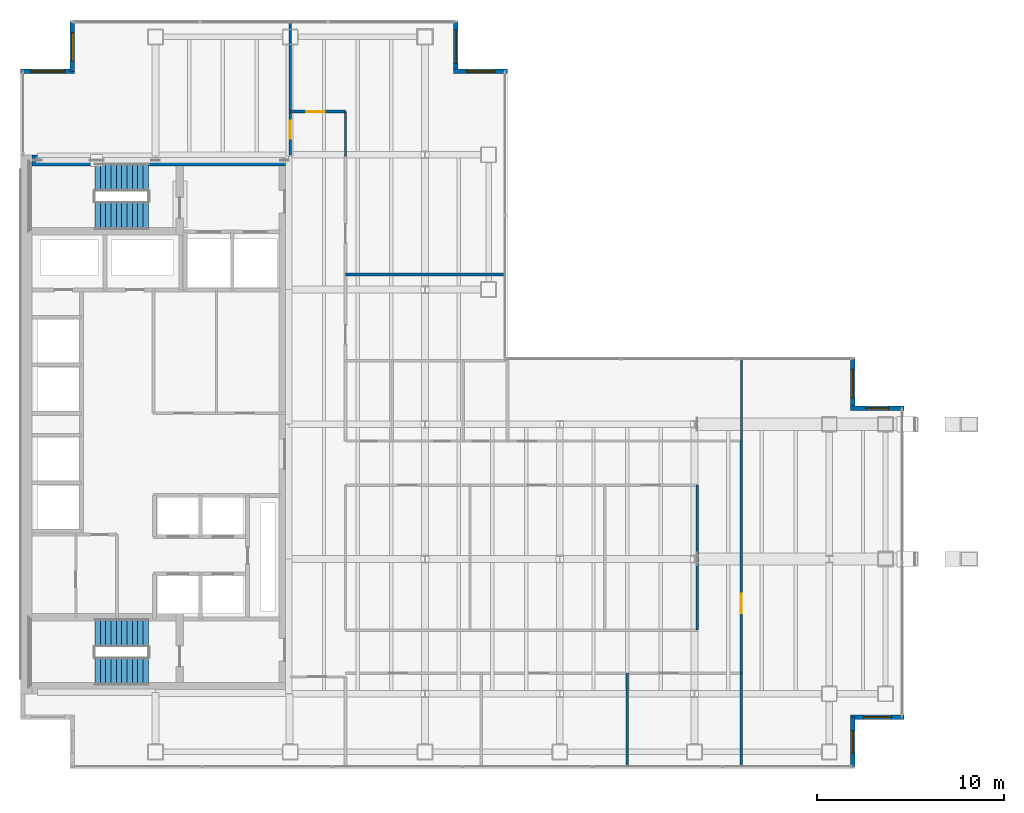
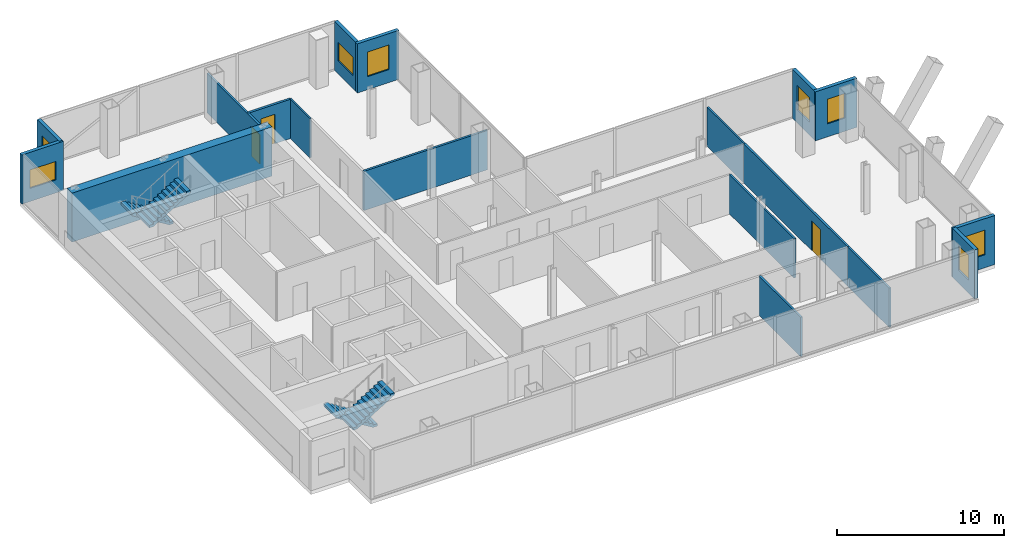
# One storey, part 22 of 23: 18 walls, 8 windows, 4 stair flights, 3 doors, 11 openings, 2 elements without a shape of their own.
"""IFC4 building model written with IfcOpenShell, lengths in metres."""

from ifc_helpers import new_model, si_unit, direction, frame, frame_2d, origin, place, context, subcontext, project, spatial, polyline, rectangle, outline, extrude, material, layer, layer_set, type_object, element, fill, aggregate, save


model = new_model("IFC4")

# Units and contexts
model_context = context("Model", 3, precision=1e-05, world=origin(), true_north=direction((0.0, 1.0)))
body_context = subcontext(model_context, "Body", "Model", "MODEL_VIEW")
ifc_project = project(units=[si_unit("LENGTHUNIT", "METRE"), si_unit("AREAUNIT", "SQUARE_METRE"), si_unit("VOLUMEUNIT", "CUBIC_METRE"), si_unit("PLANEANGLEUNIT", "RADIAN"), si_unit("MASSUNIT", "GRAM", prefix="KILO")], contexts=[model_context])

# Site, building, storey
site_placement = place(None, origin())
site = spatial("IfcSite", under=ifc_project, at=site_placement, CompositionType="ELEMENT")
building_placement = place(site_placement, origin())
building = spatial("IfcBuilding", under=site, at=building_placement, Name="Cobrela Telecom Tower", CompositionType="ELEMENT")
storey_placement = place(building_placement, frame((0.0, 0.0, 159.949951171875)))
storey = spatial("IfcBuildingStorey", under=building, at=storey_placement, Name="L40", CompositionType="ELEMENT", Elevation=159.949951171875)

# Wall
ifc_material_1 = material(Name="Concrete C50/60", Category="concrete")
ifc_layer_1 = layer(ifc_material_1, 0.60009765625)
ifc_layer_set_1 = layer_set([ifc_layer_1], Name="Concrete C50/60")
wall_type_1 = type_object("IfcWallType", Name="WALL-CORE-C50-600", PredefinedType="SHEAR", material=ifc_layer_set_1)
wall_1_placement = place(storey_placement, frame((0.60009765625, 35.699951171875, 0.0), z_axis=(0.0, 0.0, 1.0), x_axis=(1.0, 0.0, 0.0)))
element("IfcWall", 1, at=wall_1_placement, inside=storey, type_object=wall_type_1, Name="L40 North Core Shear Wall", PredefinedType="SHEAR", context=body_context, shape_type="SweptSolid", body=[
    extrude(rectangle(XDim=13.7998046875, YDim=0.60009765625, at=frame_2d((6.89990234375, 0.0))), origin(), (0.0, 0.0, 1.0), 3.580078125),
])

# Wall, opening, window
ifc_material_2 = material(Name="Concrete C40/50", Category="concrete")
ifc_layer_2 = layer(ifc_material_2, 0.239990234375)
ifc_layer_set_2 = layer_set([ifc_layer_2], Name="Concrete C40/50")
wall_type_2 = type_object("IfcWallType", Name="WALL-EXT-300", PredefinedType="STANDARD", material=ifc_layer_set_2)
wall_2_placement = place(storey_placement, frame((0.0, 40.449951171875, 0.0), z_axis=(0.0, 0.0, 1.0), x_axis=(1.0, 0.0, 0.0)))
wall_2 = element("IfcWall", 2, at=wall_2_placement, inside=storey, type_object=wall_type_2, Name="L40 Insulated Facade Wall 05", PredefinedType="STANDARD", context=body_context, shape_type="SweptSolid", body=[
    extrude(rectangle(XDim=2.8701171875, YDim=0.239990234375, at=frame_2d((1.43505859375, 0.0))), origin(), (0.0, 0.0, 1.0), 3.580078125),
])
opening_1_placement = place(wall_2_placement, frame((0.534912109375, 0.0, 0.949951171875)))
opening_1 = element("IfcOpeningElement", 3, at=opening_1_placement, cuts=wall_2, Name="Opening WN-27", PredefinedType="OPENING", context=body_context, shape_type="SweptSolid", body=[
    extrude(rectangle(XDim=1.800048828125, YDim=1.35009765625, at=frame_2d((0.89990234375, 0.675048828125))), frame((0.0, 0.1318359375, 0.0), z_axis=(0.0, -1.0, 0.0), x_axis=(1.0, 0.0, 0.0)), (0.0, 0.0, 1.0), 0.263916015625),
])
ifc_material_3 = material(Name="Solar-Control Bronze Low-E Glass", Category="glass")
window_type_1 = type_object("IfcWindowType", Name="WIN-CLER-1800", PartitioningType="SINGLE_PANEL", PredefinedType="WINDOW", material=ifc_material_3)
window_1_placement = place(opening_1_placement, origin())
window_1 = element("IfcWindow", 4, at=window_1_placement, inside=storey, type_object=window_type_1, Name="L40 Corner Notch Facade Window 192", OverallHeight=1.35009765625, OverallWidth=1.800048828125, PartitioningType="SINGLE_PANEL", PredefinedType="WINDOW", context=body_context, shape_type="SweptSolid", body=[
    extrude(rectangle(XDim=1.800048828125, YDim=1.35009765625, at=frame_2d((0.89990234375, 0.675048828125))), frame((0.0, 0.030029296875, 0.0), z_axis=(0.0, -1.0, 0.0), x_axis=(1.0, 0.0, 0.0)), (0.0, 0.0, 1.0), 0.06005859375),
])
fill(opening_1, window_1)

wall_3_placement = place(storey_placement, frame((2.75, 40.449951171875, 0.0), z_axis=(0.0, 0.0, 1.0), x_axis=(0.0, 1.0, 0.0)))
wall_3 = element("IfcWall", 5, at=wall_3_placement, inside=storey, type_object=wall_type_2, Name="L40 Insulated Facade Wall 06", PredefinedType="STANDARD", context=body_context, shape_type="SweptSolid", body=[
    extrude(rectangle(XDim=2.630126953125, YDim=0.239990234375, at=frame_2d((1.31494140625, 0.0))), origin(), (0.0, 0.0, 1.0), 3.580078125),
])
opening_2_placement = place(wall_3_placement, frame((0.56494140625, 0.0, 0.949951171875)))
opening_2 = element("IfcOpeningElement", 6, at=opening_2_placement, cuts=wall_3, Name="Opening WN-45", PredefinedType="OPENING", context=body_context, shape_type="SweptSolid", body=[
    extrude(rectangle(XDim=1.5, YDim=1.800048828125, at=frame_2d((0.75, 0.89990234375))), frame((0.0, 0.1318359375, 0.0), z_axis=(0.0, -1.0, 0.0), x_axis=(1.0, 0.0, 0.0)), (0.0, 0.0, 1.0), 0.263916015625),
])
window_type_2 = type_object("IfcWindowType", Name="WIN-MOD-1500", PartitioningType="SINGLE_PANEL", PredefinedType="WINDOW", material=ifc_material_3)
window_2_placement = place(opening_2_placement, origin())
window_2 = element("IfcWindow", 7, at=window_2_placement, inside=storey, type_object=window_type_2, Name="L40 Corner Notch Facade Window 193", OverallHeight=1.800048828125, OverallWidth=1.5, PartitioningType="SINGLE_PANEL", PredefinedType="WINDOW", context=body_context, shape_type="SweptSolid", body=[
    extrude(rectangle(XDim=1.5, YDim=1.800048828125, at=frame_2d((0.75, 0.89990234375))), frame((0.0, 0.030029296875, 0.0), z_axis=(0.0, -1.0, 0.0), x_axis=(1.0, 0.0, 0.0)), (0.0, 0.0, 1.0), 0.06005859375),
])
fill(opening_2, window_2)

wall_4_placement = place(storey_placement, frame((23.25, 43.080078125, 0.0), z_axis=(0.0, 0.0, 1.0), x_axis=(0.0, -1.0, 0.0)))
wall_4 = element("IfcWall", 8, at=wall_4_placement, inside=storey, type_object=wall_type_2, Name="L40 Insulated Facade Wall 08", PredefinedType="STANDARD", context=body_context, shape_type="SweptSolid", body=[
    extrude(rectangle(XDim=2.630126953125, YDim=0.239990234375, at=frame_2d((1.31494140625, 0.0))), origin(), (0.0, 0.0, 1.0), 3.580078125),
])
opening_3_placement = place(wall_4_placement, frame((0.4150390625, 0.0, 0.949951171875)))
opening_3 = element("IfcOpeningElement", 9, at=opening_3_placement, cuts=wall_4, Name="Opening WN-27", PredefinedType="OPENING", context=body_context, shape_type="SweptSolid", body=[
    extrude(rectangle(XDim=1.800048828125, YDim=1.35009765625, at=frame_2d((0.89990234375, 0.675048828125))), frame((0.0, 0.1318359375, 0.0), z_axis=(0.0, -1.0, 0.0), x_axis=(1.0, 0.0, 0.0)), (0.0, 0.0, 1.0), 0.263916015625),
])
window_3_placement = place(opening_3_placement, origin())
window_3 = element("IfcWindow", 10, at=window_3_placement, inside=storey, type_object=window_type_1, Name="L40 Corner Notch Facade Window 194", OverallHeight=1.35009765625, OverallWidth=1.800048828125, PartitioningType="SINGLE_PANEL", PredefinedType="WINDOW", context=body_context, shape_type="SweptSolid", body=[
    extrude(rectangle(XDim=1.800048828125, YDim=1.35009765625, at=frame_2d((0.89990234375, 0.675048828125))), frame((0.0, 0.030029296875, 0.0), z_axis=(0.0, -1.0, 0.0), x_axis=(1.0, 0.0, 0.0)), (0.0, 0.0, 1.0), 0.06005859375),
])
fill(opening_3, window_3)

wall_5_placement = place(storey_placement, frame((23.1298828125, 40.449951171875, 0.0), z_axis=(0.0, 0.0, 1.0), x_axis=(1.0, 0.0, 0.0)))
wall_5 = element("IfcWall", 11, at=wall_5_placement, inside=storey, type_object=wall_type_2, Name="L40 Insulated Facade Wall 09", PredefinedType="STANDARD", context=body_context, shape_type="SweptSolid", body=[
    extrude(rectangle(XDim=2.8701171875, YDim=0.239990234375, at=frame_2d((1.43505859375, 0.0))), origin(), (0.0, 0.0, 1.0), 3.580078125),
])
opening_4_placement = place(wall_5_placement, frame((0.68505859375, 0.0, 0.949951171875)))
opening_4 = element("IfcOpeningElement", 12, at=opening_4_placement, cuts=wall_5, Name="Opening WN-45", PredefinedType="OPENING", context=body_context, shape_type="SweptSolid", body=[
    extrude(rectangle(XDim=1.5, YDim=1.800048828125, at=frame_2d((0.75, 0.89990234375))), frame((0.0, 0.1318359375, 0.0), z_axis=(0.0, -1.0, 0.0), x_axis=(1.0, 0.0, 0.0)), (0.0, 0.0, 1.0), 0.263916015625),
])
window_4_placement = place(opening_4_placement, origin())
window_4 = element("IfcWindow", 13, at=window_4_placement, inside=storey, type_object=window_type_2, Name="L40 Corner Notch Facade Window 195", OverallHeight=1.800048828125, OverallWidth=1.5, PartitioningType="SINGLE_PANEL", PredefinedType="WINDOW", context=body_context, shape_type="SweptSolid", body=[
    extrude(rectangle(XDim=1.5, YDim=1.800048828125, at=frame_2d((0.75, 0.89990234375))), frame((0.0, 0.030029296875, 0.0), z_axis=(0.0, -1.0, 0.0), x_axis=(1.0, 0.0, 0.0)), (0.0, 0.0, 1.0), 0.06005859375),
])
fill(opening_4, window_4)

wall_6_placement = place(storey_placement, frame((44.449951171875, 25.080078125, 0.0), z_axis=(0.0, 0.0, 1.0), x_axis=(0.0, -1.0, 0.0)))
wall_6 = element("IfcWall", 14, at=wall_6_placement, inside=storey, type_object=wall_type_2, Name="L40 Insulated Facade Wall 12", PredefinedType="STANDARD", context=body_context, shape_type="SweptSolid", body=[
    extrude(rectangle(XDim=2.630126953125, YDim=0.239990234375, at=frame_2d((1.31494140625, 0.0))), origin(), (0.0, 0.0, 1.0), 3.580078125),
])
opening_5_placement = place(wall_6_placement, frame((0.56494140625, 0.0, 0.949951171875)))
opening_5 = element("IfcOpeningElement", 15, at=opening_5_placement, cuts=wall_6, Name="Opening WN-45", PredefinedType="OPENING", context=body_context, shape_type="SweptSolid", body=[
    extrude(rectangle(XDim=1.5, YDim=1.800048828125, at=frame_2d((0.75, 0.89990234375))), frame((0.0, 0.1318359375, 0.0), z_axis=(0.0, -1.0, 0.0), x_axis=(1.0, 0.0, 0.0)), (0.0, 0.0, 1.0), 0.263916015625),
])
window_5_placement = place(opening_5_placement, origin())
window_5 = element("IfcWindow", 16, at=window_5_placement, inside=storey, type_object=window_type_2, Name="L40 Corner Notch Facade Window 196", OverallHeight=1.800048828125, OverallWidth=1.5, PartitioningType="SINGLE_PANEL", PredefinedType="WINDOW", context=body_context, shape_type="SweptSolid", body=[
    extrude(rectangle(XDim=1.5, YDim=1.800048828125, at=frame_2d((0.75, 0.89990234375))), frame((0.0, 0.030029296875, 0.0), z_axis=(0.0, -1.0, 0.0), x_axis=(1.0, 0.0, 0.0)), (0.0, 0.0, 1.0), 0.06005859375),
])
fill(opening_5, window_5)

wall_7_placement = place(storey_placement, frame((44.330078125, 22.449951171875, 0.0), z_axis=(0.0, 0.0, 1.0), x_axis=(1.0, 0.0, 0.0)))
wall_7 = element("IfcWall", 17, at=wall_7_placement, inside=storey, type_object=wall_type_2, Name="L40 Insulated Facade Wall 13", PredefinedType="STANDARD", context=body_context, shape_type="SweptSolid", body=[
    extrude(rectangle(XDim=2.869873046875, YDim=0.239990234375, at=frame_2d((1.43505859375, 0.0))), origin(), (0.0, 0.0, 1.0), 3.580078125),
])
opening_6_placement = place(wall_7_placement, frame((0.8349609375, 0.0, 0.949951171875)))
opening_6 = element("IfcOpeningElement", 18, at=opening_6_placement, cuts=wall_7, Name="Opening WN-19", PredefinedType="OPENING", context=body_context, shape_type="SweptSolid", body=[
    extrude(rectangle(XDim=1.199951171875, YDim=1.800048828125, at=frame_2d((0.60009765625, 0.89990234375))), frame((0.0, 0.1318359375, 0.0), z_axis=(0.0, -1.0, 0.0), x_axis=(1.0, 0.0, 0.0)), (0.0, 0.0, 1.0), 0.263916015625),
])
window_type_3 = type_object("IfcWindowType", Name="WIN-MOD-1200", PartitioningType="SINGLE_PANEL", PredefinedType="WINDOW", material=ifc_material_3)
window_6_placement = place(opening_6_placement, origin())
window_6 = element("IfcWindow", 19, at=window_6_placement, inside=storey, type_object=window_type_3, Name="L40 Corner Notch Facade Window 197", OverallHeight=1.800048828125, OverallWidth=1.199951171875, PartitioningType="SINGLE_PANEL", PredefinedType="WINDOW", context=body_context, shape_type="SweptSolid", body=[
    extrude(rectangle(XDim=1.199951171875, YDim=1.800048828125, at=frame_2d((0.60009765625, 0.89990234375))), frame((0.0, 0.030029296875, 0.0), z_axis=(0.0, -1.0, 0.0), x_axis=(1.0, 0.0, 0.0)), (0.0, 0.0, 1.0), 0.06005859375),
])
fill(opening_6, window_6)

wall_8_placement = place(storey_placement, frame((47.199951171875, 5.949951171875, 0.0), z_axis=(0.0, 0.0, 1.0), x_axis=(-1.0, 0.0, 0.0)))
wall_8 = element("IfcWall", 20, at=wall_8_placement, inside=storey, type_object=wall_type_2, Name="L40 Insulated Facade Wall 15", PredefinedType="STANDARD", context=body_context, shape_type="SweptSolid", body=[
    extrude(rectangle(XDim=2.869873046875, YDim=0.239990234375, at=frame_2d((1.43505859375, 0.0))), origin(), (0.0, 0.0, 1.0), 3.580078125),
])
opening_7_placement = place(wall_8_placement, frame((0.68505859375, 0.0, 0.949951171875)))
opening_7 = element("IfcOpeningElement", 21, at=opening_7_placement, cuts=wall_8, Name="Opening WN-45", PredefinedType="OPENING", context=body_context, shape_type="SweptSolid", body=[
    extrude(rectangle(XDim=1.5, YDim=1.800048828125, at=frame_2d((0.75, 0.89990234375))), frame((0.0, 0.1318359375, 0.0), z_axis=(0.0, -1.0, 0.0), x_axis=(1.0, 0.0, 0.0)), (0.0, 0.0, 1.0), 0.263916015625),
])
window_7_placement = place(opening_7_placement, origin())
window_7 = element("IfcWindow", 22, at=window_7_placement, inside=storey, type_object=window_type_2, Name="L40 Corner Notch Facade Window 198", OverallHeight=1.800048828125, OverallWidth=1.5, PartitioningType="SINGLE_PANEL", PredefinedType="WINDOW", context=body_context, shape_type="SweptSolid", body=[
    extrude(rectangle(XDim=1.5, YDim=1.800048828125, at=frame_2d((0.75, 0.89990234375))), frame((0.0, 0.030029296875, 0.0), z_axis=(0.0, -1.0, 0.0), x_axis=(1.0, 0.0, 0.0)), (0.0, 0.0, 1.0), 0.06005859375),
])
fill(opening_7, window_7)

wall_9_placement = place(storey_placement, frame((44.449951171875, 5.949951171875, 0.0), z_axis=(0.0, 0.0, 1.0), x_axis=(0.0, -1.0, 0.0)))
wall_9 = element("IfcWall", 23, at=wall_9_placement, inside=storey, type_object=wall_type_2, Name="L40 Insulated Facade Wall 16", PredefinedType="STANDARD", context=body_context, shape_type="SweptSolid", body=[
    extrude(rectangle(XDim=2.6298828125, YDim=0.239990234375, at=frame_2d((1.31494140625, 0.0))), origin(), (0.0, 0.0, 1.0), 3.580078125),
])
opening_8_placement = place(wall_9_placement, frame((0.715087890625, 0.0, 0.949951171875)))
opening_8 = element("IfcOpeningElement", 24, at=opening_8_placement, cuts=wall_9, Name="Opening WN-19", PredefinedType="OPENING", context=body_context, shape_type="SweptSolid", body=[
    extrude(rectangle(XDim=1.199951171875, YDim=1.800048828125, at=frame_2d((0.60009765625, 0.89990234375))), frame((0.0, 0.1318359375, 0.0), z_axis=(0.0, -1.0, 0.0), x_axis=(1.0, 0.0, 0.0)), (0.0, 0.0, 1.0), 0.263916015625),
])
window_8_placement = place(opening_8_placement, origin())
window_8 = element("IfcWindow", 25, at=window_8_placement, inside=storey, type_object=window_type_3, Name="L40 Corner Notch Facade Window 199", OverallHeight=1.800048828125, OverallWidth=1.199951171875, PartitioningType="SINGLE_PANEL", PredefinedType="WINDOW", context=body_context, shape_type="SweptSolid", body=[
    extrude(rectangle(XDim=1.199951171875, YDim=1.800048828125, at=frame_2d((0.60009765625, 0.89990234375))), frame((0.0, 0.030029296875, 0.0), z_axis=(0.0, -1.0, 0.0), x_axis=(1.0, 0.0, 0.0)), (0.0, 0.0, 1.0), 0.06005859375),
])
fill(opening_8, window_8)

# Walls
ifc_material_4 = material(Name="Fire-Rated Gypsum Plasterboard")
ifc_layer_3 = layer(ifc_material_4, 0.110107421875)
ifc_layer_set_3 = layer_set([ifc_layer_3], Name="Fire-Rated Gypsum Plasterboard")
wall_type_3 = type_object("IfcWallType", Name="WALL-PART-110", PredefinedType="PARTITIONING", material=ifc_layer_set_3)
wall_10_placement = place(storey_placement, frame((17.35009765625, 35.89990234375, 0.0), z_axis=(0.0, 0.0, 1.0), x_axis=(0.0, 1.0, 0.0)))
element("IfcWall", 26, at=wall_10_placement, inside=storey, type_object=wall_type_3, Name="L40 Interior Partition W-UWN-E", PredefinedType="PARTITIONING", context=body_context, shape_type="SweptSolid", body=[
    extrude(rectangle(XDim=2.400146484375, YDim=0.110107421875, at=frame_2d((1.2001953125, 0.0))), origin(), (0.0, 0.0, 1.0), 2.869140625),
])
wall_11_placement = place(storey_placement, frame((38.5, 20.699951171875, 0.0), z_axis=(0.0, 0.0, 1.0), x_axis=(0.0, 1.0, 0.0)))
element("IfcWall", 27, at=wall_11_placement, inside=storey, type_object=wall_type_3, Name="L40 Interior Partition W-UFE-N", PredefinedType="PARTITIONING", context=body_context, shape_type="SweptSolid", body=[
    extrude(rectangle(XDim=4.380126953125, YDim=0.110107421875, at=frame_2d((2.18994140625, 0.0))), origin(), (0.0, 0.0, 1.0), 2.869140625),
])
ifc_layer_4 = layer(ifc_material_4, 0.125)
ifc_layer_set_4 = layer_set([ifc_layer_4], Name="Fire-Rated Gypsum Plasterboard")
wall_type_4 = type_object("IfcWallType", Name="WALL-PART-125", PredefinedType="PARTITIONING", material=ifc_layer_set_4)
wall_12_placement = place(storey_placement, frame((36.14990234375, 10.60009765625, 0.0), z_axis=(0.0, 0.0, 1.0), x_axis=(0.0, 1.0, 0.0)))
element("IfcWall", 28, at=wall_12_placement, inside=storey, type_object=wall_type_4, Name="L40 Interior Partition W-ISL-E", PredefinedType="PARTITIONING", context=body_context, shape_type="SweptSolid", body=[
    extrude(rectangle(XDim=7.75, YDim=0.125, at=frame_2d((3.875, 0.0))), origin(), (0.0, 0.0, 1.0), 2.869140625),
])

# Wall, opening, door
ifc_layer_5 = layer(ifc_material_4, 0.135009765625)
ifc_layer_set_5 = layer_set([ifc_layer_5], Name="Fire-Rated Gypsum Plasterboard")
wall_type_5 = type_object("IfcWallType", Name="WALL-PART-135", PredefinedType="PARTITIONING", material=ifc_layer_set_5)
wall_13_placement = place(storey_placement, frame((38.5, 8.300048828125, 0.0), z_axis=(0.0, 0.0, 1.0), x_axis=(0.0, 1.0, 0.0)))
wall_13 = element("IfcWall", 29, at=wall_13_placement, inside=storey, type_object=wall_type_5, Name="L40 Interior Partition W-UE-E", PredefinedType="PARTITIONING", context=body_context, shape_type="SweptSolid", body=[
    extrude(rectangle(XDim=12.39990234375, YDim=0.135009765625, at=frame_2d((6.199951171875, 0.0))), origin(), (0.0, 0.0, 1.0), 2.869140625),
])
opening_9_placement = place(wall_13_placement, frame((3.199951171875, 0.0, 0.0)))
opening_9 = element("IfcOpeningElement", 30, at=opening_9_placement, cuts=wall_13, Name="Opening DR-29", PredefinedType="OPENING", context=body_context, shape_type="SweptSolid", body=[
    extrude(rectangle(XDim=1.050048828125, YDim=2.14990234375, at=frame_2d((0.52490234375, 1.074951171875))), frame((0.0, 0.07958984375, 0.0), z_axis=(0.0, -1.0, 0.0), x_axis=(1.0, 0.0, 0.0)), (0.0, 0.0, 1.0), 0.158935546875),
])
ifc_material_5 = material(Name="Solid Engineered Oak Timber", Category="wood")
door_type_1 = type_object("IfcDoorType", Name="DOOR-INT-1050", OperationType="SINGLE_SWING_LEFT", PredefinedType="DOOR", material=ifc_material_5)
door_1_placement = place(opening_9_placement, origin())
door_1 = element("IfcDoor", 31, at=door_1_placement, inside=storey, type_object=door_type_1, Name="L40 Door DR-29", OperationType="SINGLE_SWING_LEFT", OverallHeight=2.14990234375, OverallWidth=1.050048828125, PredefinedType="DOOR", context=body_context, shape_type="SweptSolid", body=[
    extrude(rectangle(XDim=1.050048828125, YDim=2.14990234375, at=frame_2d((0.52490234375, 1.074951171875))), frame((0.0, 0.02490234375, 0.0), z_axis=(0.0, -1.0, 0.0), x_axis=(1.0, 0.0, 0.0)), (0.0, 0.0, 1.0), 0.050048828125),
])
fill(opening_9, door_1)

wall_14_placement = place(storey_placement, frame((14.39990234375, 36.0, 0.0), z_axis=(0.0, 0.0, 1.0), x_axis=(0.0, 1.0, 0.0)))
wall_14 = element("IfcWall", 32, at=wall_14_placement, inside=storey, type_object=wall_type_5, Name="L40 Interior Partition W-UWN-W", PredefinedType="PARTITIONING", context=body_context, shape_type="SweptSolid", body=[
    extrude(rectangle(XDim=7.080078125, YDim=0.135009765625, at=frame_2d((3.5400390625, 0.0))), origin(), (0.0, 0.0, 1.0), 2.869140625),
])
opening_10_placement = place(wall_14_placement, frame((0.85009765625, 0.0, 0.0)))
opening_10 = element("IfcOpeningElement", 33, at=opening_10_placement, cuts=wall_14, Name="Opening DR-17", PredefinedType="OPENING", context=body_context, shape_type="SweptSolid", body=[
    extrude(rectangle(XDim=0.97998046875, YDim=2.14990234375, at=frame_2d((0.489990234375, 1.074951171875))), frame((0.0, 0.07958984375, 0.0), z_axis=(0.0, -1.0, 0.0), x_axis=(1.0, 0.0, 0.0)), (0.0, 0.0, 1.0), 0.158935546875),
])
door_type_2 = type_object("IfcDoorType", Name="DOOR-INT-980", OperationType="SINGLE_SWING_LEFT", PredefinedType="DOOR", material=ifc_material_5)
door_2_placement = place(opening_10_placement, origin())
door_2 = element("IfcDoor", 34, at=door_2_placement, inside=storey, type_object=door_type_2, Name="L40 Door DR-17", OperationType="SINGLE_SWING_LEFT", OverallHeight=2.14990234375, OverallWidth=0.97998046875, PredefinedType="DOOR", context=body_context, shape_type="SweptSolid", body=[
    extrude(rectangle(XDim=0.97998046875, YDim=2.14990234375, at=frame_2d((0.489990234375, 1.074951171875))), frame((0.0, 0.02490234375, 0.0), z_axis=(0.0, -1.0, 0.0), x_axis=(1.0, 0.0, 0.0)), (0.0, 0.0, 1.0), 0.050048828125),
])
fill(opening_10, door_2)

# Walls
for number, where, z_axis, x_axis, name in (
    (35, (38.5, 3.320068359375, 0.0), (0.0, 0.0, 1.0), (0.0, 1.0, 0.0), "L40 Interior Partition W-UFE-S"),
    (36, (32.39990234375, 3.320068359375, 0.0), (0.0, 0.0, 1.0), (0.0, 1.0, 0.0), "L40 Interior Partition W-USV-2"),
):
    element("IfcWall", number, at=place(storey_placement, frame(where, z_axis=z_axis, x_axis=x_axis)), inside=storey, type_object=wall_type_5, Name=name, PredefinedType="PARTITIONING", context=body_context, shape_type="SweptSolid", body=[
        extrude(rectangle(XDim=4.97998046875, YDim=0.135009765625, at=frame_2d((2.489990234375, 0.0))), origin(), (0.0, 0.0, 1.0), 2.869140625),
    ])
ifc_layer_6 = layer(ifc_material_4, 0.14990234375)
ifc_layer_set_6 = layer_set([ifc_layer_6], Name="Fire-Rated Gypsum Plasterboard")
wall_type_6 = type_object("IfcWallType", Name="WALL-PART-150", PredefinedType="PARTITIONING", material=ifc_layer_set_6)
wall_15_placement = place(storey_placement, frame((17.35009765625, 29.60009765625, 0.0), z_axis=(0.0, 0.0, 1.0), x_axis=(1.0, 0.0, 0.0)))
element("IfcWall", 37, at=wall_15_placement, inside=storey, type_object=wall_type_6, Name="L40 Interior Partition W-NPAN-N", PredefinedType="PARTITIONING", context=body_context, shape_type="SweptSolid", body=[
    extrude(rectangle(XDim=8.52978515625, YDim=0.14990234375, at=frame_2d((4.264892578125, 0.0))), origin(), (0.0, 0.0, 1.0), 2.869140625),
])

# Wall, opening, door
ifc_layer_7 = layer(ifc_material_4, 0.159912109375)
ifc_layer_set_7 = layer_set([ifc_layer_7], Name="Fire-Rated Gypsum Plasterboard")
wall_type_7 = type_object("IfcWallType", Name="WALL-PART-160", PredefinedType="PARTITIONING", material=ifc_layer_set_7)
wall_16_placement = place(storey_placement, frame((14.39990234375, 38.300048828125, 0.0), z_axis=(0.0, 0.0, 1.0), x_axis=(1.0, 0.0, 0.0)))
wall_16 = element("IfcWall", 38, at=wall_16_placement, inside=storey, type_object=wall_type_7, Name="L40 Interior Partition W-UWN-T", PredefinedType="PARTITIONING", context=body_context, shape_type="SweptSolid", body=[
    extrude(rectangle(XDim=2.9501953125, YDim=0.159912109375, at=frame_2d((1.47509765625, 0.0))), origin(), (0.0, 0.0, 1.0), 2.869140625),
])
opening_11_placement = place(wall_16_placement, frame((0.85009765625, 0.0, 0.0)))
opening_11 = element("IfcOpeningElement", 39, at=opening_11_placement, cuts=wall_16, Name="Opening DR-17", PredefinedType="OPENING", context=body_context, shape_type="SweptSolid", body=[
    extrude(rectangle(XDim=0.97998046875, YDim=2.14990234375, at=frame_2d((0.489990234375, 1.074951171875))), frame((0.0, 0.091796875, 0.0), z_axis=(0.0, -1.0, 0.0), x_axis=(1.0, 0.0, 0.0)), (0.0, 0.0, 1.0), 0.183837890625),
])
door_3_placement = place(opening_11_placement, origin())
door_3 = element("IfcDoor", 40, at=door_3_placement, inside=storey, type_object=door_type_2, Name="L40 Door DR-17", OperationType="SINGLE_SWING_RIGHT", OverallHeight=2.14990234375, OverallWidth=0.97998046875, PredefinedType="DOOR", context=body_context, shape_type="SweptSolid", body=[
    extrude(rectangle(XDim=0.97998046875, YDim=2.14990234375, at=frame_2d((0.489990234375, 1.074951171875))), frame((0.0, 0.02490234375, 0.0), z_axis=(0.0, -1.0, 0.0), x_axis=(1.0, 0.0, 0.0)), (0.0, 0.0, 1.0), 0.050048828125),
])
fill(opening_11, door_3)

# Stair, stair flights
stair_type = type_object("IfcStairType", Name="STAIR-CORE", PredefinedType="HALF_TURN_STAIR", material=ifc_material_2)
stair_1_placement = place(storey_placement, origin())
stair_1 = element("IfcStair", 41, at=stair_1_placement, inside=storey, type_object=stair_type, Name="L40 Smokeproof Exit Stair ST1", PredefinedType="HALF_TURN_STAIR")
stair_flight_type = type_object("IfcStairFlightType", Name="FLIGHT-CORE", PredefinedType="STRAIGHT", material=ifc_material_2)
stair_flight_1_placement = place(storey_placement, frame((6.820068359375, 34.800048828125, 0.0), z_axis=(0.0, 0.0, 1.0), x_axis=(-1.0, 0.0, 0.0)))
stair_flight_1 = element("IfcStairFlight", 42, at=stair_flight_1_placement, type_object=stair_flight_type, Name="ST1 flight 1", NumberOfRisers=11, NumberOfTreads=10, PredefinedType="STRAIGHT", RiserHeight=0.175, TreadLength=0.285, context=body_context, shape_type="SweptSolid", body=[
    extrude(outline(polyline([(0.0, 0.0), (0.0, 0.175048828125), (0.284912109375, 0.175048828125), (0.284912109375, 0.35009765625), (0.570068359375, 0.35009765625), (0.570068359375, 0.52490234375), (0.85498046875, 0.52490234375), (0.85498046875, 0.699951171875), (1.139892578125, 0.699951171875), (1.139892578125, 0.875), (1.425048828125, 0.875), (1.425048828125, 1.050048828125), (1.7099609375, 1.050048828125), (1.7099609375, 1.22509765625), (1.9951171875, 1.22509765625), (1.9951171875, 1.39990234375), (2.280029296875, 1.39990234375), (2.280029296875, 1.574951171875), (2.56494140625, 1.574951171875), (2.56494140625, 1.75), (2.85009765625, 1.75), (2.85009765625, 1.925048828125), (2.85009765625, 1.573974609375), (0.286376953125, 0.0), (0.0, 0.0)])), frame((0.0, 0.75, 0.0), z_axis=(0.0, -1.0, 0.0), x_axis=(1.0, 0.0, 0.0)), (0.0, 0.0, 1.0), 1.5),
])
stair_flight_2_placement = place(storey_placement, frame((3.969970703125, 32.75, 1.925048828125), z_axis=(0.0, 0.0, 1.0), x_axis=(1.0, 0.0, 0.0)))
stair_flight_2 = element("IfcStairFlight", 43, at=stair_flight_2_placement, type_object=stair_flight_type, Name="ST1 flight 2", NumberOfRisers=11, NumberOfTreads=10, PredefinedType="STRAIGHT", RiserHeight=0.175, TreadLength=0.285, context=body_context, shape_type="SweptSolid", body=[
    extrude(outline(polyline([(0.0, 0.0), (0.0, 0.175048828125), (0.284912109375, 0.175048828125), (0.284912109375, 0.35009765625), (0.570068359375, 0.35009765625), (0.570068359375, 0.52490234375), (0.85498046875, 0.52490234375), (0.85498046875, 0.699951171875), (1.139892578125, 0.699951171875), (1.139892578125, 0.875), (1.425048828125, 0.875), (1.425048828125, 1.050048828125), (1.7099609375, 1.050048828125), (1.7099609375, 1.22509765625), (1.9951171875, 1.22509765625), (1.9951171875, 1.39990234375), (2.280029296875, 1.39990234375), (2.280029296875, 1.574951171875), (2.56494140625, 1.574951171875), (2.56494140625, 1.75), (2.85009765625, 1.75), (2.85009765625, 1.925048828125), (2.85009765625, 1.573974609375), (0.286376953125, 0.0), (0.0, 0.0)])), frame((0.0, 0.75, 0.0), z_axis=(0.0, -1.0, 0.0), x_axis=(1.0, 0.0, 0.0)), (0.0, 0.0, 1.0), 1.5),
])
aggregate(stair_1, [stair_flight_1, stair_flight_2])

stair_2_placement = place(storey_placement, origin())
stair_2 = element("IfcStair", 44, at=stair_2_placement, inside=storey, type_object=stair_type, Name="L40 Smokeproof Exit Stair ST2", PredefinedType="HALF_TURN_STAIR")
stair_flight_3_placement = place(storey_placement, frame((6.820068359375, 10.449951171875, 0.0), z_axis=(0.0, 0.0, 1.0), x_axis=(-1.0, 0.0, 0.0)))
stair_flight_3 = element("IfcStairFlight", 45, at=stair_flight_3_placement, type_object=stair_flight_type, Name="ST2 flight 1", NumberOfRisers=11, NumberOfTreads=10, PredefinedType="STRAIGHT", RiserHeight=0.175, TreadLength=0.285, context=body_context, shape_type="SweptSolid", body=[
    extrude(outline(polyline([(0.0, 0.0), (0.0, 0.175048828125), (0.284912109375, 0.175048828125), (0.284912109375, 0.35009765625), (0.570068359375, 0.35009765625), (0.570068359375, 0.52490234375), (0.85498046875, 0.52490234375), (0.85498046875, 0.699951171875), (1.139892578125, 0.699951171875), (1.139892578125, 0.875), (1.425048828125, 0.875), (1.425048828125, 1.050048828125), (1.7099609375, 1.050048828125), (1.7099609375, 1.22509765625), (1.9951171875, 1.22509765625), (1.9951171875, 1.39990234375), (2.280029296875, 1.39990234375), (2.280029296875, 1.574951171875), (2.56494140625, 1.574951171875), (2.56494140625, 1.75), (2.85009765625, 1.75), (2.85009765625, 1.925048828125), (2.85009765625, 1.573974609375), (0.286376953125, 0.0), (0.0, 0.0)])), frame((0.0, 0.75, 0.0), z_axis=(0.0, -1.0, 0.0), x_axis=(1.0, 0.0, 0.0)), (0.0, 0.0, 1.0), 1.5),
])
stair_flight_4_placement = place(storey_placement, frame((3.969970703125, 8.39990234375, 1.925048828125), z_axis=(0.0, 0.0, 1.0), x_axis=(1.0, 0.0, 0.0)))
stair_flight_4 = element("IfcStairFlight", 46, at=stair_flight_4_placement, type_object=stair_flight_type, Name="ST2 flight 2", NumberOfRisers=11, NumberOfTreads=10, PredefinedType="STRAIGHT", RiserHeight=0.175, TreadLength=0.285, context=body_context, shape_type="SweptSolid", body=[
    extrude(outline(polyline([(0.0, 0.0), (0.0, 0.175048828125), (0.284912109375, 0.175048828125), (0.284912109375, 0.35009765625), (0.570068359375, 0.35009765625), (0.570068359375, 0.52490234375), (0.85498046875, 0.52490234375), (0.85498046875, 0.699951171875), (1.139892578125, 0.699951171875), (1.139892578125, 0.875), (1.425048828125, 0.875), (1.425048828125, 1.050048828125), (1.7099609375, 1.050048828125), (1.7099609375, 1.22509765625), (1.9951171875, 1.22509765625), (1.9951171875, 1.39990234375), (2.280029296875, 1.39990234375), (2.280029296875, 1.574951171875), (2.56494140625, 1.574951171875), (2.56494140625, 1.75), (2.85009765625, 1.75), (2.85009765625, 1.925048828125), (2.85009765625, 1.573974609375), (0.286376953125, 0.0), (0.0, 0.0)])), frame((0.0, 0.75, 0.0), z_axis=(0.0, -1.0, 0.0), x_axis=(1.0, 0.0, 0.0)), (0.0, 0.0, 1.0), 1.5),
])
aggregate(stair_2, [stair_flight_3, stair_flight_4])

save(model, "model.ifc")
